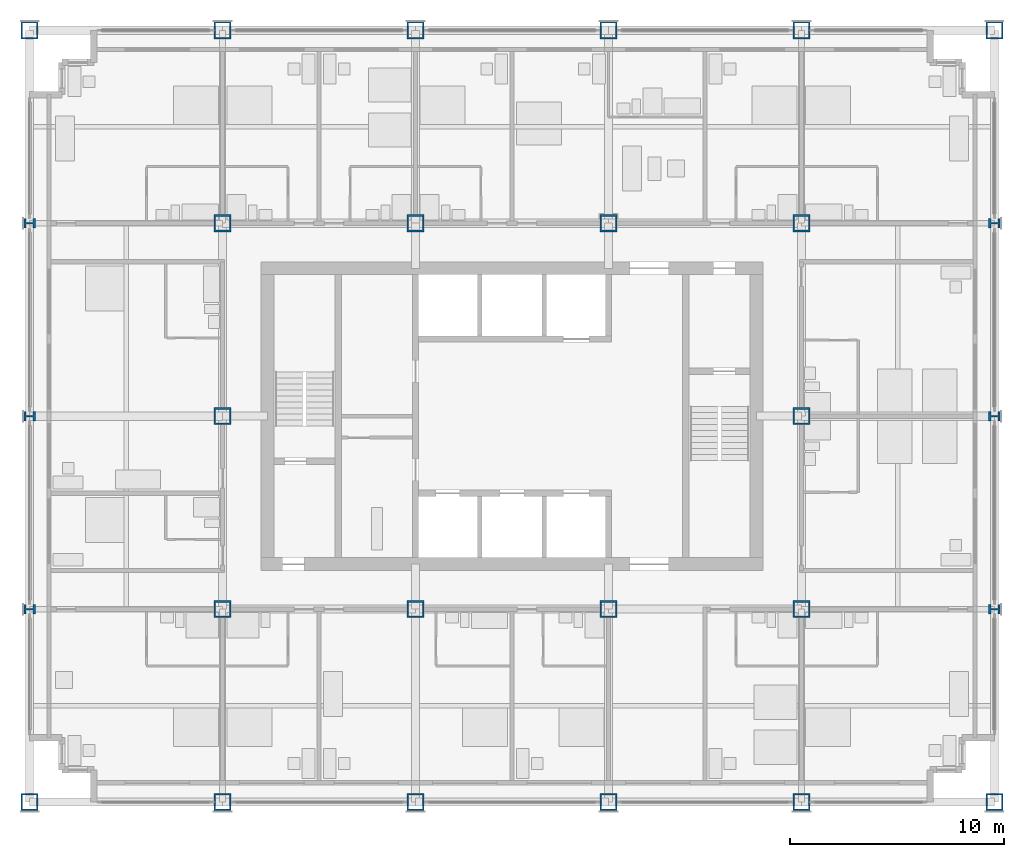
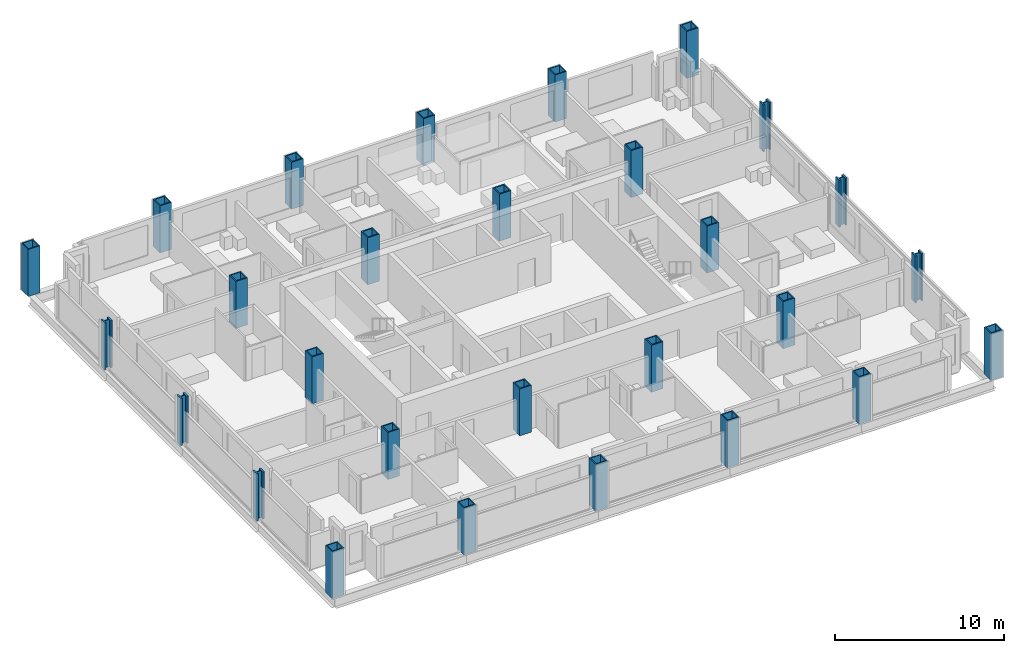
# One storey, part 1 of 16: 28 columns.
"""IFC4 building model written with IfcOpenShell, lengths in metres."""

from ifc_helpers import new_model, si_unit, direction, frame, origin, origin_2d, place, context, subcontext, project, spatial, hollow_rectangle, i_section, extrude, material, material_profile, profile_set, type_object, element, save


model = new_model("IFC4")

# Units and contexts
model_context = context("Model", 3, precision=1e-05, world=origin(), true_north=direction((0.0, 1.0)))
body_context = subcontext(model_context, "Body", "Model", "MODEL_VIEW")
ifc_project = project(units=[si_unit("LENGTHUNIT", "METRE"), si_unit("AREAUNIT", "SQUARE_METRE"), si_unit("VOLUMEUNIT", "CUBIC_METRE"), si_unit("PLANEANGLEUNIT", "RADIAN"), si_unit("MASSUNIT", "GRAM", prefix="KILO")], contexts=[model_context])

# Site, building, storey
site_placement = place(None, origin())
site = spatial("IfcSite", under=ifc_project, at=site_placement, CompositionType="ELEMENT")
building_placement = place(site_placement, origin())
building = spatial("IfcBuilding", under=site, at=building_placement, Name="Loomwork Tower", CompositionType="ELEMENT")
storey_placement = place(building_placement, frame((0.0, 0.0, 104.39990234375)))
storey = spatial("IfcBuildingStorey", under=building, at=storey_placement, Name="L27", CompositionType="ELEMENT", Elevation=104.39990234375)

# Columns
ifc_material_1 = material(Name="Steel ASTM A572 Grade 50 plate", Category="steel")
ifc_material_profile_1 = material_profile(ifc_material_1, hollow_rectangle(XDim=0.800048828125, YDim=0.800048828125, WallThickness=0.070068359375, at=origin_2d()), Name="BOX800x70")
ifc_profile_set_1 = profile_set([ifc_material_profile_1], Name="Steel ASTM A572 Grade 50 plate")
column_type_1 = type_object("IfcColumnType", Name="EXOSKELETON PIER BOX800x70", PredefinedType="COLUMN", material=ifc_profile_set_1)
for number, where, z_axis, x_axis, name in (
    (1, (0.0, 0.0, 0.0), (0.0, 0.0, 1.0), (1.0, 0.0, 0.0), "Exoskeleton Pier D/2 L27"),
    (2, (0.0, 36.0, 0.0), (0.0, 0.0, 1.0), (1.0, 0.0, 0.0), "Exoskeleton Pier H/2 L27"),
    (3, (9.0, 0.0, 0.0), (0.0, 0.0, 1.0), (1.0, 0.0, 0.0), "Exoskeleton Pier D/3 L27"),
    (4, (9.0, 36.0, 0.0), (0.0, 0.0, 1.0), (1.0, 0.0, 0.0), "Exoskeleton Pier H/3 L27"),
    (5, (18.0, 0.0, 0.0), (0.0, 0.0, 1.0), (1.0, 0.0, 0.0), "Exoskeleton Pier D/4 L27"),
    (6, (18.0, 36.0, 0.0), (0.0, 0.0, 1.0), (1.0, 0.0, 0.0), "Exoskeleton Pier H/4 L27"),
    (7, (27.0, 0.0, 0.0), (0.0, 0.0, 1.0), (1.0, 0.0, 0.0), "Exoskeleton Pier D/5 L27"),
    (8, (27.0, 36.0, 0.0), (0.0, 0.0, 1.0), (1.0, 0.0, 0.0), "Exoskeleton Pier H/5 L27"),
    (9, (36.0, 0.0, 0.0), (0.0, 0.0, 1.0), (1.0, 0.0, 0.0), "Exoskeleton Pier D/6 L27"),
    (10, (36.0, 36.0, 0.0), (0.0, 0.0, 1.0), (1.0, 0.0, 0.0), "Exoskeleton Pier H/6 L27"),
    (11, (45.0, 0.0, 0.0), (0.0, 0.0, 1.0), (1.0, 0.0, 0.0), "Exoskeleton Pier D/7 L27"),
    (12, (45.0, 36.0, 0.0), (0.0, 0.0, 1.0), (1.0, 0.0, 0.0), "Exoskeleton Pier H/7 L27"),
):
    element("IfcColumn", number, at=place(storey_placement, frame(where, z_axis=z_axis, x_axis=x_axis)), inside=storey, type_object=column_type_1, Name=name, PredefinedType="COLUMN", context=body_context, shape_type="SweptSolid", body=[
        extrude(hollow_rectangle(XDim=0.800048828125, YDim=0.800048828125, WallThickness=0.070068359375, at=origin_2d()), origin(), (0.0, 0.0, 1.0), 3.400146484375),
    ])
ifc_material_2 = material(Name="Steel ASTM A992", Category="steel")
ifc_material_profile_2 = material_profile(ifc_material_2, i_section(OverallWidth=0.449462890625, OverallDepth=0.548583984375, WebThickness=0.07177734375, FlangeThickness=0.11474609375, at=origin_2d()), Name="W14x665")
ifc_profile_set_2 = profile_set([ifc_material_profile_2], Name="Steel ASTM A992")
column_type_2 = type_object("IfcColumnType", Name="EXOSKELETON PIER W14x665", PredefinedType="COLUMN", material=ifc_profile_set_2)
for number, where, z_axis, x_axis, name in (
    (13, (0.0, 9.0, 0.0), (0.0, 0.0, 1.0), (0.0, 1.0, 0.0), "Exoskeleton Pier E/2 L27"),
    (14, (0.0, 18.0, 0.0), (0.0, 0.0, 1.0), (0.0, 1.0, 0.0), "Exoskeleton Pier F/2 L27"),
    (15, (0.0, 27.0, 0.0), (0.0, 0.0, 1.0), (0.0, 1.0, 0.0), "Exoskeleton Pier G/2 L27"),
    (16, (45.0, 9.0, 0.0), (0.0, 0.0, 1.0), (0.0, 1.0, 0.0), "Exoskeleton Pier E/7 L27"),
    (17, (45.0, 18.0, 0.0), (0.0, 0.0, 1.0), (0.0, 1.0, 0.0), "Exoskeleton Pier F/7 L27"),
    (18, (45.0, 27.0, 0.0), (0.0, 0.0, 1.0), (0.0, 1.0, 0.0), "Exoskeleton Pier G/7 L27"),
):
    element("IfcColumn", number, at=place(storey_placement, frame(where, z_axis=z_axis, x_axis=x_axis)), inside=storey, type_object=column_type_2, Name=name, PredefinedType="COLUMN", context=body_context, shape_type="SweptSolid", body=[
        extrude(i_section(OverallWidth=0.449462890625, OverallDepth=0.548583984375, WebThickness=0.07177734375, FlangeThickness=0.11474609375, at=origin_2d()), origin(), (0.0, 0.0, 1.0), 3.400146484375),
    ])
ifc_material_3 = material(Name="Steel ASTM A572 Grade 50 plate", Category="steel")
ifc_material_profile_3 = material_profile(ifc_material_3, hollow_rectangle(XDim=0.800048828125, YDim=0.800048828125, WallThickness=0.080078125, at=origin_2d()), Name="BOX800x80")
ifc_profile_set_3 = profile_set([ifc_material_profile_3], Name="Steel ASTM A572 Grade 50 plate")
column_type_3 = type_object("IfcColumnType", Name="TOWER COLUMN BOX800x80", PredefinedType="COLUMN", material=ifc_profile_set_3)
for number, where, z_axis, x_axis, name in (
    (19, (9.0, 9.0, 0.0), (0.0, 0.0, 1.0), (1.0, 0.0, 0.0), "Tower Column E/3 L27"),
    (20, (9.0, 18.0, 0.0), (0.0, 0.0, 1.0), (1.0, 0.0, 0.0), "Tower Column F/3 L27"),
    (21, (9.0, 27.0, 0.0), (0.0, 0.0, 1.0), (1.0, 0.0, 0.0), "Tower Column G/3 L27"),
    (22, (18.0, 9.0, 0.0), (0.0, 0.0, 1.0), (1.0, 0.0, 0.0), "Tower Column E/4 L27"),
    (23, (18.0, 27.0, 0.0), (0.0, 0.0, 1.0), (1.0, 0.0, 0.0), "Tower Column G/4 L27"),
    (24, (27.0, 9.0, 0.0), (0.0, 0.0, 1.0), (1.0, 0.0, 0.0), "Tower Column E/5 L27"),
    (25, (27.0, 27.0, 0.0), (0.0, 0.0, 1.0), (1.0, 0.0, 0.0), "Tower Column G/5 L27"),
    (26, (36.0, 9.0, 0.0), (0.0, 0.0, 1.0), (0.0, 1.0, 0.0), "Tower Column E/6 L27"),
    (27, (36.0, 18.0, 0.0), (0.0, 0.0, 1.0), (0.0, 1.0, 0.0), "Tower Column F/6 L27"),
    (28, (36.0, 27.0, 0.0), (0.0, 0.0, 1.0), (1.0, 0.0, 0.0), "Tower Column G/6 L27"),
):
    element("IfcColumn", number, at=place(storey_placement, frame(where, z_axis=z_axis, x_axis=x_axis)), inside=storey, type_object=column_type_3, Name=name, PredefinedType="COLUMN", context=body_context, shape_type="SweptSolid", body=[
        extrude(hollow_rectangle(XDim=0.800048828125, YDim=0.800048828125, WallThickness=0.080078125, at=origin_2d()), origin(), (0.0, 0.0, 1.0), 3.400146484375),
    ])

save(model, "model.ifc")
